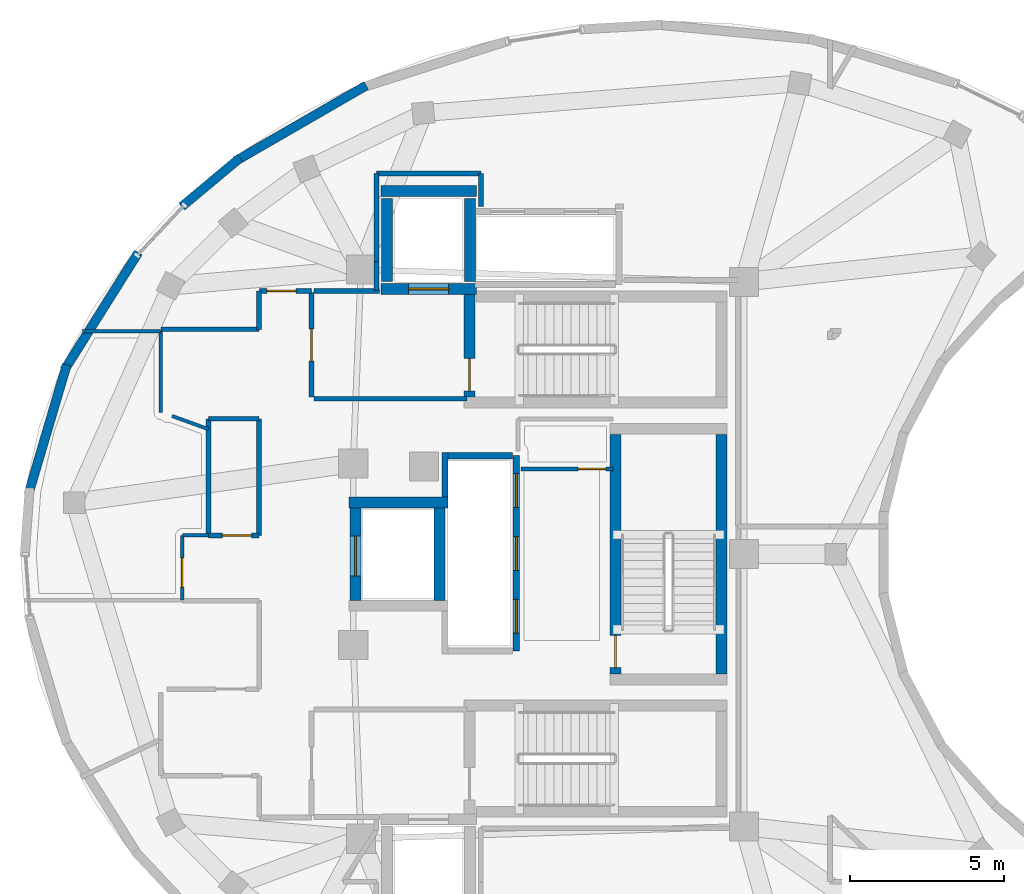
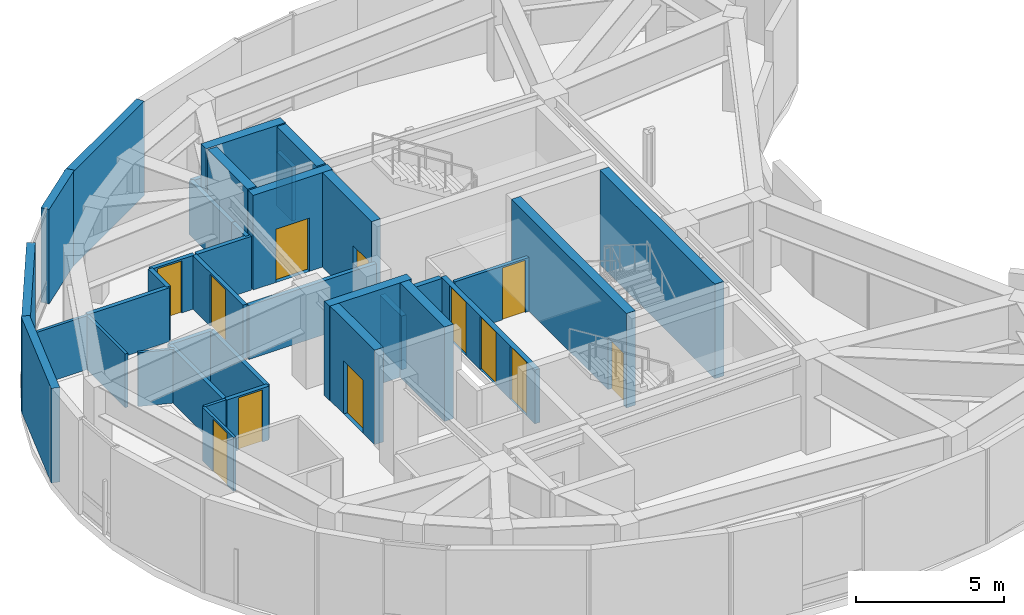
# One storey, part 4 of 6: 37 walls, 12 doors, 12 openings.
"""IFC4 building model written with IfcOpenShell, lengths in metres."""

from ifc_helpers import new_model, si_unit, direction, frame, frame_2d, origin, place, context, subcontext, project, spatial, rectangle, extrude, material, layer, layer_set, type_object, element, fill, save


model = new_model("IFC4")

# Units and contexts
model_context = context("Model", 3, precision=1e-05, world=origin(), true_north=direction((0.0, 1.0)))
body_context = subcontext(model_context, "Body", "Model", "MODEL_VIEW")
ifc_project = project(units=[si_unit("LENGTHUNIT", "METRE"), si_unit("AREAUNIT", "SQUARE_METRE"), si_unit("VOLUMEUNIT", "CUBIC_METRE"), si_unit("PLANEANGLEUNIT", "RADIAN"), si_unit("MASSUNIT", "GRAM", prefix="KILO")], contexts=[model_context])

# Site, building, storey
site_placement = place(None, origin())
site = spatial("IfcSite", under=ifc_project, at=site_placement, CompositionType="ELEMENT")
building_placement = place(site_placement, origin())
building = spatial("IfcBuilding", under=site, at=building_placement, Name="Korentha Bioscience Tower", CompositionType="ELEMENT")
storey_placement = place(building_placement, frame((0.0, 0.0, 327.0)))
storey = spatial("IfcBuildingStorey", under=building, at=storey_placement, Name="L75", CompositionType="ELEMENT", Elevation=327.0)

# Wall, opening, door
ifc_material_1 = material(Name="Fire-Rated Framed Glass", Category="glass")
ifc_layer_1 = layer(ifc_material_1, 0.110107421875, Name="Fire-Rated Framed Glass")
ifc_layer_set_1 = layer_set([ifc_layer_1], Name="Fire-Rated Framed Glass (IW-G110)")
wall_type_1 = type_object("IfcWallType", Name="Demountable Glazed Office Partition 110", PredefinedType="MOVABLE", material=ifc_layer_set_1)
wall_1_placement = place(storey_placement, frame((19.2900390625, 27.60009765625, 0.0), z_axis=(0.0, 0.0, 1.0), x_axis=(0.0, -1.0, 0.0)))
wall_1 = element("IfcWall", 1, at=wall_1_placement, inside=storey, type_object=wall_type_1, Name="L75 Principal Investigator Office 01 Entrance Wall", PredefinedType="MOVABLE", context=body_context, shape_type="SweptSolid", body=[
    extrude(rectangle(XDim=2.09716796875, YDim=0.110107421875, at=frame_2d((1.048583984375, 0.0))), origin(), (0.0, 0.0, 1.0), 2.219970703125),
])
opening_1_placement = place(wall_1_placement, frame((0.72265625, 0.0, 0.0)))
opening_1 = element("IfcOpeningElement", 2, at=opening_1_placement, cuts=wall_1, Name="Opening ID-10R", PredefinedType="OPENING", context=body_context, shape_type="SweptSolid", body=[
    extrude(rectangle(XDim=0.949951171875, YDim=2.14990234375, at=frame_2d((0.47509765625, 1.074951171875))), frame((0.0, 0.06982421875, 0.0), z_axis=(0.0, -1.0, 0.0), x_axis=(1.0, 0.0, 0.0)), (0.0, 0.0, 1.0), 0.139892578125),
])
ifc_material_2 = material(Name="Phenolic Laminate Timber Core", Category="wood")
door_type_1 = type_object("IfcDoorType", Name="Laboratory Single Leaf Door 950x2150 Right", OperationType="SINGLE_SWING_RIGHT", PredefinedType="DOOR", material=ifc_material_2)
door_1_placement = place(opening_1_placement, origin())
door_1 = element("IfcDoor", 3, at=door_1_placement, inside=storey, type_object=door_type_1, Name="L75 Principal Investigator Office 01 Door", OperationType="SINGLE_SWING_RIGHT", OverallHeight=2.14990234375, OverallWidth=0.949951171875, PredefinedType="DOOR", context=body_context, shape_type="SweptSolid", body=[
    extrude(rectangle(XDim=0.949951171875, YDim=2.14990234375, at=frame_2d((0.47509765625, 1.074951171875))), frame((0.0, 0.02490234375, 0.0), z_axis=(0.0, -1.0, 0.0), x_axis=(1.0, 0.0, 0.0)), (0.0, 0.0, 1.0), 0.050048828125),
])
fill(opening_1, door_1)

# Walls
wall_2_placement = place(storey_placement, frame((16.047119140625, 34.248046875, 0.0), z_axis=(0.0, 0.0, 1.0), x_axis=(1.0, 0.0, 0.0)))
element("IfcWall", 4, at=wall_2_placement, inside=storey, type_object=wall_type_1, Name="L75 Interior Partition 013", PredefinedType="MOVABLE", context=body_context, shape_type="SweptSolid", body=[
    extrude(rectangle(XDim=2.54296875, YDim=0.110107421875, at=frame_2d((1.271484375, 0.0))), origin(), (0.0, 0.0, 1.0), 2.219970703125),
])
wall_3_placement = place(storey_placement, frame((18.590087890625, 34.248046875, 0.0), z_axis=(0.0, 0.0, 1.0), x_axis=(0.0, -1.0, 0.0)))
element("IfcWall", 5, at=wall_3_placement, inside=storey, type_object=wall_type_1, Name="L75 Interior Partition 014", PredefinedType="MOVABLE", context=body_context, shape_type="SweptSolid", body=[
    extrude(rectangle(XDim=2.64794921875, YDim=0.110107421875, at=frame_2d((1.323974609375, 0.0))), origin(), (0.0, 0.0, 1.0), 2.219970703125),
])
wall_4_placement = place(storey_placement, frame((18.9609375, 31.489990234375, 0.0), z_axis=(0.0, 0.0, 1.0), x_axis=(0.94035502025, -0.340194702915, 0.0)))
element("IfcWall", 6, at=wall_4_placement, inside=storey, type_object=wall_type_1, Name="L75 Interior Partition 015", PredefinedType="MOVABLE", context=body_context, shape_type="SweptSolid", body=[
    extrude(rectangle(XDim=1.253662109375, YDim=0.110107421875, at=frame_2d((0.626953125, 0.0))), origin(), (0.0, 0.0, 1.0), 2.219970703125),
])
wall_5_placement = place(storey_placement, frame((20.139892578125, 27.610107421875, 0.0), z_axis=(0.0, 0.0, 1.0), x_axis=(-1.0, 0.0, 0.0)))
element("IfcWall", 7, at=wall_5_placement, inside=storey, type_object=wall_type_1, Name="L75 Interior Partition 016", PredefinedType="MOVABLE", context=body_context, shape_type="SweptSolid", body=[
    extrude(rectangle(XDim=0.83984375, YDim=0.110107421875, at=frame_2d((0.419921875, 0.0))), origin(), (0.0, 0.0, 1.0), 2.219970703125),
])

# Wall, opening, door
ifc_material_3 = material(Name="Gypsum-Clad Steel Stud", Category="steel")
ifc_layer_2 = layer(ifc_material_3, 0.159912109375, Name="Gypsum-Clad Steel Stud")
ifc_layer_set_2 = layer_set([ifc_layer_2], Name="Gypsum-Clad Steel Stud (IW-C160)")
wall_type_2 = type_object("IfcWallType", Name="Fire-Rated Corridor Partition Wall 160", PredefinedType="PARTITIONING", material=ifc_layer_set_2)
wall_6_placement = place(storey_placement, frame((23.5, 32.10009765625, 0.0), z_axis=(0.0, 0.0, 1.0), x_axis=(0.0, 1.0, 0.0)))
wall_6 = element("IfcWall", 8, at=wall_6_placement, inside=storey, type_object=wall_type_2, Name="L75 FFLN-CW Rated Enclosure Wall", PredefinedType="PARTITIONING", context=body_context, shape_type="SweptSolid", body=[
    extrude(rectangle(XDim=3.39990234375, YDim=0.159912109375, at=frame_2d((1.699951171875, 0.0))), origin(), (0.0, 0.0, 1.0), 2.219970703125),
])
opening_2_placement = place(wall_6_placement, frame((1.175048828125, 0.0, 0.0)))
opening_2 = element("IfcOpeningElement", 9, at=opening_2_placement, cuts=wall_6, Name="Opening FD-90R", PredefinedType="OPENING", context=body_context, shape_type="SweptSolid", body=[
    extrude(rectangle(XDim=1.050048828125, YDim=2.14990234375, at=frame_2d((0.52490234375, 1.074951171875))), frame((0.0, 0.0947265625, 0.0), z_axis=(0.0, -1.0, 0.0), x_axis=(1.0, 0.0, 0.0)), (0.0, 0.0, 1.0), 0.189697265625),
])
ifc_material_4 = material(Name="Powder-Coated Fire-Rated Steel", Category="steel")
door_type_2 = type_object("IfcDoorType", Name="Stairwell Fire Exit Door 1050x2150 Right", OperationType="SINGLE_SWING_RIGHT", PredefinedType="DOOR", material=ifc_material_4)
door_2_placement = place(opening_2_placement, origin())
door_2 = element("IfcDoor", 10, at=door_2_placement, inside=storey, type_object=door_type_2, Name="L75 North Firefighting Lobby Door", OperationType="SINGLE_SWING_RIGHT", OverallHeight=2.14990234375, OverallWidth=1.050048828125, PredefinedType="DOOR", context=body_context, shape_type="SweptSolid", body=[
    extrude(rectangle(XDim=1.050048828125, YDim=2.14990234375, at=frame_2d((0.52490234375, 1.074951171875))), frame((0.0, 0.02490234375, 0.0), z_axis=(0.0, -1.0, 0.0), x_axis=(1.0, 0.0, 0.0)), (0.0, 0.0, 1.0), 0.050048828125),
])
fill(opening_2, door_2)

# Walls
wall_7_placement = place(storey_placement, frame((23.580078125, 32.050048828125, 0.0), z_axis=(0.0, 0.0, 1.0), x_axis=(1.0, 0.0, 0.0)))
element("IfcWall", 11, at=wall_7_placement, inside=storey, type_object=wall_type_2, Name="L75 Firefighting Lobby Return Wall FFLN-S", PredefinedType="PARTITIONING", context=body_context, shape_type="SweptSolid", body=[
    extrude(rectangle(XDim=4.969970703125, YDim=0.159912109375, at=frame_2d((2.48486328125, 0.0))), origin(), (0.0, 0.0, 1.0), 2.219970703125),
])
wall_8_placement = place(storey_placement, frame((23.580078125, 35.550048828125, 0.0), z_axis=(0.0, 0.0, 1.0), x_axis=(1.0, 0.0, 0.0)))
element("IfcWall", 12, at=wall_8_placement, inside=storey, type_object=wall_type_2, Name="L75 Firefighting Lobby Return Wall FFLN-N", PredefinedType="PARTITIONING", context=body_context, shape_type="SweptSolid", body=[
    extrude(rectangle(XDim=2.119873046875, YDim=0.159912109375, at=frame_2d((1.06005859375, 0.0))), origin(), (0.0, 0.0, 1.0), 2.219970703125),
])

# Wall, opening, door
wall_9_placement = place(storey_placement, frame((21.7900390625, 27.610107421875, 0.0), z_axis=(0.0, 0.0, 1.0), x_axis=(-1.0, 0.0, 0.0)))
wall_9 = element("IfcWall", 13, at=wall_9_placement, inside=storey, type_object=wall_type_2, Name="L75 Reclaimed Bank-2 Telecoms and Data Store Entrance Wall", PredefinedType="PARTITIONING", context=body_context, shape_type="SweptSolid", body=[
    extrude(rectangle(XDim=1.64013671875, YDim=0.159912109375, at=frame_2d((0.820068359375, 0.0))), origin(), (0.0, 0.0, 1.0), 2.219970703125),
])
opening_3_placement = place(wall_9_placement, frame((0.239990234375, 0.0, 0.0)))
opening_3 = element("IfcOpeningElement", 14, at=opening_3_placement, cuts=wall_9, Name="Opening ID-10L", PredefinedType="OPENING", context=body_context, shape_type="SweptSolid", body=[
    extrude(rectangle(XDim=0.949951171875, YDim=2.14990234375, at=frame_2d((0.47509765625, 1.074951171875))), frame((0.0, 0.0947265625, 0.0), z_axis=(0.0, -1.0, 0.0), x_axis=(1.0, 0.0, 0.0)), (0.0, 0.0, 1.0), 0.189697265625),
])
door_type_3 = type_object("IfcDoorType", Name="Laboratory Single Leaf Door 950x2150 Left", OperationType="SINGLE_SWING_LEFT", PredefinedType="DOOR", material=ifc_material_2)
door_3_placement = place(opening_3_placement, origin())
door_3 = element("IfcDoor", 15, at=door_3_placement, inside=storey, type_object=door_type_3, Name="L75 Reclaimed Bank-2 Telecoms and Data Store Door", OperationType="SINGLE_SWING_LEFT", OverallHeight=2.14990234375, OverallWidth=0.949951171875, PredefinedType="DOOR", context=body_context, shape_type="SweptSolid", body=[
    extrude(rectangle(XDim=0.949951171875, YDim=2.14990234375, at=frame_2d((0.47509765625, 1.074951171875))), frame((0.0, 0.02490234375, 0.0), z_axis=(0.0, -1.0, 0.0), x_axis=(1.0, 0.0, 0.0)), (0.0, 0.0, 1.0), 0.050048828125),
])
fill(opening_3, door_3)

wall_10_placement = place(storey_placement, frame((23.489990234375, 35.56005859375, 0.0), z_axis=(0.0, 0.0, 1.0), x_axis=(-1.0, 0.0, 0.0)))
wall_10 = element("IfcWall", 16, at=wall_10_placement, inside=storey, type_object=wall_type_2, Name="L75 Biospecimen Archive Store 04 Entrance Wall", PredefinedType="PARTITIONING", context=body_context, shape_type="SweptSolid", body=[
    extrude(rectangle(XDim=1.68994140625, YDim=0.159912109375, at=frame_2d((0.844970703125, 0.0))), origin(), (0.0, 0.0, 1.0), 2.219970703125),
])
opening_4_placement = place(wall_10_placement, frame((0.5, 0.0, 0.0)))
opening_4 = element("IfcOpeningElement", 17, at=opening_4_placement, cuts=wall_10, Name="Opening ID-10L", PredefinedType="OPENING", context=body_context, shape_type="SweptSolid", body=[
    extrude(rectangle(XDim=0.949951171875, YDim=2.14990234375, at=frame_2d((0.47509765625, 1.074951171875))), frame((0.0, 0.0947265625, 0.0), z_axis=(0.0, -1.0, 0.0), x_axis=(1.0, 0.0, 0.0)), (0.0, 0.0, 1.0), 0.189697265625),
])
door_4_placement = place(opening_4_placement, origin())
door_4 = element("IfcDoor", 18, at=door_4_placement, inside=storey, type_object=door_type_3, Name="L75 Biospecimen Archive Store 04 Door", OperationType="SINGLE_SWING_LEFT", OverallHeight=2.14990234375, OverallWidth=0.949951171875, PredefinedType="DOOR", context=body_context, shape_type="SweptSolid", body=[
    extrude(rectangle(XDim=0.949951171875, YDim=2.14990234375, at=frame_2d((0.47509765625, 1.074951171875))), frame((0.0, 0.02490234375, 0.0), z_axis=(0.0, -1.0, 0.0), x_axis=(1.0, 0.0, 0.0)), (0.0, 0.0, 1.0), 0.050048828125),
])
fill(opening_4, door_4)

# Walls
for number, where, z_axis, x_axis, name in (
    (19, (21.7900390625, 31.39990234375, 0.0), (0.0, 0.0, 1.0), (0.0, -1.0, 0.0), "L75 Interior Partition 010"),
    (20, (20.14990234375, 27.610107421875, 0.0), (0.0, 0.0, 1.0), (0.0, 1.0, 0.0), "L75 Interior Partition 011"),
):
    element("IfcWall", number, at=place(storey_placement, frame(where, z_axis=z_axis, x_axis=x_axis)), inside=storey, type_object=wall_type_2, Name=name, PredefinedType="PARTITIONING", context=body_context, shape_type="SweptSolid", body=[
        extrude(rectangle(XDim=3.789794921875, YDim=0.159912109375, at=frame_2d((1.89501953125, 0.0))), origin(), (0.0, 0.0, 1.0), 2.219970703125),
    ])
wall_11_placement = place(storey_placement, frame((20.14990234375, 31.39990234375, 0.0), z_axis=(0.0, 0.0, 1.0), x_axis=(1.0, 0.0, 0.0)))
element("IfcWall", 21, at=wall_11_placement, inside=storey, type_object=wall_type_2, Name="L75 Interior Partition 012", PredefinedType="PARTITIONING", context=body_context, shape_type="SweptSolid", body=[
    extrude(rectangle(XDim=1.64013671875, YDim=0.159912109375, at=frame_2d((0.820068359375, 0.0))), origin(), (0.0, 0.0, 1.0), 2.219970703125),
])
wall_12_placement = place(storey_placement, frame((29.0, 38.300048828125, 0.0), z_axis=(0.0, 0.0, 1.0), x_axis=(0.0, 1.0, 0.0)))
element("IfcWall", 22, at=wall_12_placement, inside=storey, type_object=wall_type_2, Name="L75 Interior Partition 044", PredefinedType="PARTITIONING", context=body_context, shape_type="SweptSolid", body=[
    extrude(rectangle(XDim=1.075927734375, YDim=0.159912109375, at=frame_2d((0.5380859375, 0.0))), origin(), (0.0, 0.0, 1.0), 2.219970703125),
])
wall_13_placement = place(storey_placement, frame((28.995849609375, 39.3798828125, 0.0), z_axis=(0.0, 0.0, 1.0), x_axis=(-1.0, 0.0, 0.0)))
element("IfcWall", 23, at=wall_13_placement, inside=storey, type_object=wall_type_2, Name="L75 Interior Partition 045", PredefinedType="PARTITIONING", context=body_context, shape_type="SweptSolid", body=[
    extrude(rectangle(XDim=3.391845703125, YDim=0.159912109375, at=frame_2d((1.69580078125, 0.0))), origin(), (0.0, 0.0, 1.0), 2.219970703125),
])
wall_14_placement = place(storey_placement, frame((25.60009765625, 39.3759765625, 0.0), z_axis=(0.0, 0.0, 1.0), x_axis=(0.0, -1.0, 0.0)))
element("IfcWall", 24, at=wall_14_placement, inside=storey, type_object=wall_type_2, Name="L75 Interior Partition 046", PredefinedType="PARTITIONING", context=body_context, shape_type="SweptSolid", body=[
    extrude(rectangle(XDim=2.8603515625, YDim=0.159912109375, at=frame_2d((1.43017578125, 0.0))), origin(), (0.0, 0.0, 1.0), 2.219970703125),
])
wall_15_placement = place(storey_placement, frame((25.60009765625, 36.507568359375, 0.0), z_axis=(0.0, 0.0, 1.0), x_axis=(0.0, -1.0, 0.0)))
element("IfcWall", 25, at=wall_15_placement, inside=storey, type_object=wall_type_2, Name="L75 Interior Partition 047", PredefinedType="PARTITIONING", context=body_context, shape_type="SweptSolid", body=[
    extrude(rectangle(XDim=0.943359375, YDim=0.159912109375, at=frame_2d((0.4716796875, 0.0))), origin(), (0.0, 0.0, 1.0), 2.219970703125),
])
wall_16_placement = place(storey_placement, frame((21.7900390625, 35.550048828125, 0.0), z_axis=(0.0, 0.0, 1.0), x_axis=(0.0, -1.0, 0.0)))
element("IfcWall", 26, at=wall_16_placement, inside=storey, type_object=wall_type_2, Name="L75 Interior Partition 048", PredefinedType="PARTITIONING", context=body_context, shape_type="SweptSolid", body=[
    extrude(rectangle(XDim=1.239990234375, YDim=0.159912109375, at=frame_2d((0.6201171875, 0.0))), origin(), (0.0, 0.0, 1.0), 2.219970703125),
])
wall_17_placement = place(storey_placement, frame((21.7900390625, 34.31005859375, 0.0), z_axis=(0.0, 0.0, 1.0), x_axis=(-1.0, 0.0, 0.0)))
element("IfcWall", 27, at=wall_17_placement, inside=storey, type_object=wall_type_2, Name="L75 Interior Partition 049", PredefinedType="PARTITIONING", context=body_context, shape_type="SweptSolid", body=[
    extrude(rectangle(XDim=3.18994140625, YDim=0.159912109375, at=frame_2d((1.594970703125, 0.0))), origin(), (0.0, 0.0, 1.0), 2.219970703125),
])
ifc_material_5 = material(Name="Honed Limestone Precast Concrete C40", Category="masonry")
ifc_layer_3 = layer(ifc_material_5, 0.300048828125, Name="Honed Limestone Precast Concrete C40")
ifc_layer_set_3 = layer_set([ifc_layer_3], Name="Honed Limestone Precast Concrete C40 (EW-ST300)")
wall_type_3 = type_object("IfcWallType", Name="Honed Limestone Cavity Spandrel Wall 300", PredefinedType="STANDARD", material=ifc_layer_set_3)
wall_18_placement = place(storey_placement, frame((25.2734375, 42.234375, 0.0), z_axis=(0.0, 0.0, 1.0), x_axis=(-0.865775178968, -0.500433151863, 0.0)))
element("IfcWall", 28, at=wall_18_placement, inside=storey, type_object=wall_type_3, Name="L75 Limestone Perimeter Closure Wall 10", PredefinedType="STANDARD", context=body_context, shape_type="SweptSolid", body=[
    extrude(rectangle(XDim=4.915771484375, YDim=0.300048828125, at=frame_2d((2.4580078125, 0.0))), origin(), (0.0, 0.0, 1.0), 3.89990234375),
])
wall_19_placement = place(storey_placement, frame((21.168212890625, 39.87939453125, 0.0), z_axis=(0.0, 0.0, 1.0), x_axis=(-0.767450316268, -0.641108424574, 0.0)))
element("IfcWall", 29, at=wall_19_placement, inside=storey, type_object=wall_type_3, Name="L75 Limestone Perimeter Closure Wall 12", PredefinedType="STANDARD", context=body_context, shape_type="SweptSolid", body=[
    extrude(rectangle(XDim=2.467529296875, YDim=0.300048828125, at=frame_2d((1.23388671875, 0.0))), origin(), (0.0, 0.0, 1.0), 3.89990234375),
])
wall_20_placement = place(storey_placement, frame((17.86279296875, 36.80419921875, 0.0), z_axis=(0.0, 0.0, 1.0), x_axis=(-0.532667112983, -0.846324847057, 0.0)))
element("IfcWall", 30, at=wall_20_placement, inside=storey, type_object=wall_type_3, Name="L75 Limestone Perimeter Closure Wall 14", PredefinedType="STANDARD", context=body_context, shape_type="SweptSolid", body=[
    extrude(rectangle(XDim=4.519287109375, YDim=0.300048828125, at=frame_2d((2.259765625, 0.0))), origin(), (0.0, 0.0, 1.0), 3.89990234375),
])
wall_21_placement = place(storey_placement, frame((15.53662109375, 33.158935546875, 0.0), z_axis=(0.0, 0.0, 1.0), x_axis=(-0.28362844186, -0.958934255811, 0.0)))
element("IfcWall", 31, at=wall_21_placement, inside=storey, type_object=wall_type_3, Name="L75 Limestone Perimeter Closure Wall 16", PredefinedType="STANDARD", context=body_context, shape_type="SweptSolid", body=[
    extrude(rectangle(XDim=4.37451171875, YDim=0.300048828125, at=frame_2d((2.187255859375, 0.0))), origin(), (0.0, 0.0, 1.0), 3.89990234375),
])
ifc_material_6 = material(Name="Autoclaved Aerated Concrete Block C25", Category="concrete")
ifc_layer_4 = layer(ifc_material_6, 0.199951171875, Name="Autoclaved Aerated Concrete Block C25")
ifc_layer_set_4 = layer_set([ifc_layer_4], Name="Autoclaved Aerated Concrete Block C25 (IW-S200)")
wall_type_4 = type_object("IfcWallType", Name="Lift and Riser Shaft Enclosure Wall 200", PredefinedType="PARTITIONING", material=ifc_layer_set_4)
wall_22_placement = place(storey_placement, frame((27.830078125, 28.85888671875, 0.0), z_axis=(0.0, 0.0, 1.0), x_axis=(0.0, 1.0, 0.0)))
element("IfcWall", 32, at=wall_22_placement, inside=storey, type_object=wall_type_4, Name="L75 Lift Bank HIGH Shaft Wall -XN", PredefinedType="PARTITIONING", context=body_context, shape_type="SweptSolid", body=[
    extrude(rectangle(XDim=1.441162109375, YDim=0.199951171875, at=frame_2d((0.720703125, 0.0))), origin(), (0.0, 0.0, 1.0), 2.219970703125),
])

# Wall, openings, doors
wall_23_placement = place(storey_placement, frame((30.14990234375, 23.85009765625, 0.0), z_axis=(0.0, 0.0, 1.0), x_axis=(0.0, 1.0, 0.0)))
wall_23 = element("IfcWall", 33, at=wall_23_placement, inside=storey, type_object=wall_type_4, Name="L75 Lift Bank HIGH Shaft Wall +X", PredefinedType="PARTITIONING", context=body_context, shape_type="SweptSolid", body=[
    extrude(rectangle(XDim=6.349853515625, YDim=0.199951171875, at=frame_2d((3.1748046875, 0.0))), origin(), (0.0, 0.0, 1.0), 2.219970703125),
])
opening_5_placement = place(wall_23_placement, frame((0.580078125, 0.0, 0.0)))
opening_5 = element("IfcOpeningElement", 34, at=opening_5_placement, cuts=wall_23, Name="Opening LD-11", PredefinedType="OPENING", context=body_context, shape_type="SweptSolid", body=[
    extrude(rectangle(XDim=1.10009765625, YDim=2.199951171875, at=frame_2d((0.550048828125, 1.10009765625))), frame((0.0, 0.11474609375, 0.0), z_axis=(0.0, -1.0, 0.0), x_axis=(1.0, 0.0, 0.0)), (0.0, 0.0, 1.0), 0.229736328125),
])
opening_6_placement = place(wall_23_placement, frame((2.6201171875, 0.0, 0.0)))
opening_6 = element("IfcOpeningElement", 35, at=opening_6_placement, cuts=wall_23, Name="Opening LD-11", PredefinedType="OPENING", context=body_context, shape_type="SweptSolid", body=[
    extrude(rectangle(XDim=1.10009765625, YDim=2.199951171875, at=frame_2d((0.550048828125, 1.10009765625))), frame((0.0, 0.11474609375, 0.0), z_axis=(0.0, -1.0, 0.0), x_axis=(1.0, 0.0, 0.0)), (0.0, 0.0, 1.0), 0.229736328125),
])
opening_7_placement = place(wall_23_placement, frame((4.669921875, 0.0, 0.0)))
opening_7 = element("IfcOpeningElement", 36, at=opening_7_placement, cuts=wall_23, Name="Opening LD-11", PredefinedType="OPENING", context=body_context, shape_type="SweptSolid", body=[
    extrude(rectangle(XDim=1.10009765625, YDim=2.199951171875, at=frame_2d((0.550048828125, 1.10009765625))), frame((0.0, 0.11474609375, 0.0), z_axis=(0.0, -1.0, 0.0), x_axis=(1.0, 0.0, 0.0)), (0.0, 0.0, 1.0), 0.229736328125),
])
ifc_material_7 = material(Name="Brushed Stainless Steel 304", Category="steel")
door_type_4 = type_object("IfcDoorType", Name="Passenger Lift Sliding Landing Door 1100x2200", OperationType="DOUBLE_DOOR_SLIDING", PredefinedType="DOOR", material=ifc_material_7)
door_5_placement = place(opening_5_placement, origin())
door_5 = element("IfcDoor", 37, at=door_5_placement, inside=storey, type_object=door_type_4, Name="L75 PL-H1 Sliding Lift Landing Door", OperationType="DOUBLE_DOOR_SLIDING", OverallHeight=2.199951171875, OverallWidth=1.10009765625, PredefinedType="DOOR", context=body_context, shape_type="SweptSolid", body=[
    extrude(rectangle(XDim=1.10009765625, YDim=2.199951171875, at=frame_2d((0.550048828125, 1.10009765625))), frame((0.0, 0.02490234375, 0.0), z_axis=(0.0, -1.0, 0.0), x_axis=(1.0, 0.0, 0.0)), (0.0, 0.0, 1.0), 0.050048828125),
])
fill(opening_5, door_5)
door_6_placement = place(opening_6_placement, origin())
door_6 = element("IfcDoor", 38, at=door_6_placement, inside=storey, type_object=door_type_4, Name="L75 PL-H2 Sliding Lift Landing Door", OperationType="DOUBLE_DOOR_SLIDING", OverallHeight=2.199951171875, OverallWidth=1.10009765625, PredefinedType="DOOR", context=body_context, shape_type="SweptSolid", body=[
    extrude(rectangle(XDim=1.10009765625, YDim=2.199951171875, at=frame_2d((0.550048828125, 1.10009765625))), frame((0.0, 0.02490234375, 0.0), z_axis=(0.0, -1.0, 0.0), x_axis=(1.0, 0.0, 0.0)), (0.0, 0.0, 1.0), 0.050048828125),
])
fill(opening_6, door_6)
door_7_placement = place(opening_7_placement, origin())
door_7 = element("IfcDoor", 39, at=door_7_placement, inside=storey, type_object=door_type_4, Name="L75 PL-H3 Sliding Lift Landing Door", OperationType="DOUBLE_DOOR_SLIDING", OverallHeight=2.199951171875, OverallWidth=1.10009765625, PredefinedType="DOOR", context=body_context, shape_type="SweptSolid", body=[
    extrude(rectangle(XDim=1.10009765625, YDim=2.199951171875, at=frame_2d((0.550048828125, 1.10009765625))), frame((0.0, 0.02490234375, 0.0), z_axis=(0.0, -1.0, 0.0), x_axis=(1.0, 0.0, 0.0)), (0.0, 0.0, 1.0), 0.050048828125),
])
fill(opening_7, door_7)

# Wall
wall_24_placement = place(storey_placement, frame((27.93408203125, 30.199951171875, 0.0), z_axis=(0.0, 0.0, 1.0), x_axis=(1.0, 0.0, 0.0)))
element("IfcWall", 40, at=wall_24_placement, inside=storey, type_object=wall_type_4, Name="L75 Lift Bank HIGH Shaft Wall +Y", PredefinedType="PARTITIONING", context=body_context, shape_type="SweptSolid", body=[
    extrude(rectangle(XDim=2.095947265625, YDim=0.199951171875, at=frame_2d((1.0478515625, 0.0))), origin(), (0.0, 0.0, 1.0), 2.219970703125),
])

# Wall, opening, door
ifc_material_8 = material(Name="Concrete C50", Category="concrete")
ifc_layer_5 = layer(ifc_material_8, 0.35009765625, Name="Concrete C50")
ifc_layer_set_5 = layer_set([ifc_layer_5], Name="Concrete C50 (CW-C50)")
wall_type_5 = type_object("IfcWallType", Name="Upper Core Shear Wall 350", PredefinedType="SHEAR", material=ifc_layer_set_5)
wall_25_placement = place(storey_placement, frame((28.625, 32.110107421875, 0.0), z_axis=(0.0, 0.0, 1.0), x_axis=(0.0, 1.0, 0.0)))
wall_25 = element("IfcWall", 41, at=wall_25_placement, inside=storey, type_object=wall_type_5, Name="L75 Core Shear Wall ST1-W", PredefinedType="SHEAR", context=body_context, shape_type="SweptSolid", body=[
    extrude(rectangle(XDim=3.3330078125, YDim=0.35009765625, at=frame_2d((1.66650390625, 0.0))), origin(), (0.0, 0.0, 1.0), 3.89990234375),
])
opening_8_placement = place(wall_25_placement, frame((0.199951171875, 0.0, 0.0)))
opening_8 = element("IfcOpeningElement", 42, at=opening_8_placement, cuts=wall_25, Name="Opening FD-90R", PredefinedType="OPENING", context=body_context, shape_type="SweptSolid", body=[
    extrude(rectangle(XDim=1.050048828125, YDim=2.14990234375, at=frame_2d((0.52490234375, 1.074951171875))), frame((0.0, 0.18994140625, 0.0), z_axis=(0.0, -1.0, 0.0), x_axis=(1.0, 0.0, 0.0)), (0.0, 0.0, 1.0), 0.3798828125),
])
door_8_placement = place(opening_8_placement, origin())
door_8 = element("IfcDoor", 43, at=door_8_placement, inside=storey, type_object=door_type_2, Name="L75 ST-1 Fire Exit Stair Door", OperationType="SINGLE_SWING_RIGHT", OverallHeight=2.14990234375, OverallWidth=1.050048828125, PredefinedType="DOOR", context=body_context, shape_type="SweptSolid", body=[
    extrude(rectangle(XDim=1.050048828125, YDim=2.14990234375, at=frame_2d((0.52490234375, 1.074951171875))), frame((0.0, 0.02490234375, 0.0), z_axis=(0.0, -1.0, 0.0), x_axis=(1.0, 0.0, 0.0)), (0.0, 0.0, 1.0), 0.050048828125),
])
fill(opening_8, door_8)

# Wall
wall_26_placement = place(storey_placement, frame((36.824951171875, 23.110107421875, 0.0), z_axis=(0.0, 0.0, 1.0), x_axis=(0.0, 1.0, 0.0)))
element("IfcWall", 44, at=wall_26_placement, inside=storey, type_object=wall_type_5, Name="L75 Core Shear Wall ST3-E", PredefinedType="SHEAR", context=body_context, shape_type="SweptSolid", body=[
    extrude(rectangle(XDim=7.77978515625, YDim=0.35009765625, at=frame_2d((3.889892578125, 0.0))), origin(), (0.0, 0.0, 1.0), 3.89990234375),
])

# Wall, opening, door
wall_27_placement = place(storey_placement, frame((33.375, 23.110107421875, 0.0), z_axis=(0.0, 0.0, 1.0), x_axis=(0.0, 1.0, 0.0)))
wall_27 = element("IfcWall", 45, at=wall_27_placement, inside=storey, type_object=wall_type_5, Name="L75 Core Shear Wall ST3-W", PredefinedType="SHEAR", context=body_context, shape_type="SweptSolid", body=[
    extrude(rectangle(XDim=7.77978515625, YDim=0.35009765625, at=frame_2d((3.889892578125, 0.0))), origin(), (0.0, 0.0, 1.0), 3.89990234375),
])
opening_9_placement = place(wall_27_placement, frame((0.199951171875, 0.0, 0.0)))
opening_9 = element("IfcOpeningElement", 46, at=opening_9_placement, cuts=wall_27, Name="Opening FD-90R", PredefinedType="OPENING", context=body_context, shape_type="SweptSolid", body=[
    extrude(rectangle(XDim=1.050048828125, YDim=2.14990234375, at=frame_2d((0.52490234375, 1.074951171875))), frame((0.0, 0.18994140625, 0.0), z_axis=(0.0, -1.0, 0.0), x_axis=(1.0, 0.0, 0.0)), (0.0, 0.0, 1.0), 0.3798828125),
])
door_9_placement = place(opening_9_placement, origin())
door_9 = element("IfcDoor", 47, at=door_9_placement, inside=storey, type_object=door_type_2, Name="L75 ST-3 Fire Exit Stair Door", OperationType="SINGLE_SWING_RIGHT", OverallHeight=2.14990234375, OverallWidth=1.050048828125, PredefinedType="DOOR", context=body_context, shape_type="SweptSolid", body=[
    extrude(rectangle(XDim=1.050048828125, YDim=2.14990234375, at=frame_2d((0.52490234375, 1.074951171875))), frame((0.0, 0.02490234375, 0.0), z_axis=(0.0, -1.0, 0.0), x_axis=(1.0, 0.0, 0.0)), (0.0, 0.0, 1.0), 0.050048828125),
])
fill(opening_9, door_9)

# Wall
wall_28_placement = place(storey_placement, frame((25.75, 38.800048828125, 0.0), z_axis=(0.0, 0.0, 1.0), x_axis=(1.0, 0.0, 0.0)))
element("IfcWall", 48, at=wall_28_placement, inside=storey, type_object=wall_type_5, Name="L75 Core Shear Wall FFL2-N", PredefinedType="SHEAR", context=body_context, shape_type="SweptSolid", body=[
    extrude(rectangle(XDim=3.10009765625, YDim=0.35009765625, at=frame_2d((1.550048828125, 0.0))), origin(), (0.0, 0.0, 1.0), 3.89990234375),
])

# Wall, opening, door
wall_29_placement = place(storey_placement, frame((25.75, 35.6201171875, 0.0), z_axis=(0.0, 0.0, 1.0), x_axis=(1.0, 0.0, 0.0)))
wall_29 = element("IfcWall", 49, at=wall_29_placement, inside=storey, type_object=wall_type_5, Name="L75 Core Shear Wall FFL2-S", PredefinedType="SHEAR", context=body_context, shape_type="SweptSolid", body=[
    extrude(rectangle(XDim=3.10009765625, YDim=0.35009765625, at=frame_2d((1.550048828125, 0.0))), origin(), (0.0, 0.0, 1.0), 3.89990234375),
])
opening_10_placement = place(wall_29_placement, frame((0.89990234375, 0.0, 0.0)))
opening_10 = element("IfcOpeningElement", 50, at=opening_10_placement, cuts=wall_29, Name="Opening LD-13", PredefinedType="OPENING", context=body_context, shape_type="SweptSolid", body=[
    extrude(rectangle(XDim=1.300048828125, YDim=2.199951171875, at=frame_2d((0.64990234375, 1.10009765625))), frame((0.0, 0.18994140625, 0.0), z_axis=(0.0, -1.0, 0.0), x_axis=(1.0, 0.0, 0.0)), (0.0, 0.0, 1.0), 0.3798828125),
])
ifc_material_9 = material(Name="Brushed Stainless Steel 316", Category="steel")
door_type_5 = type_object("IfcDoorType", Name="Service & Firefighting Lift Landing Door 1300x2300", OperationType="DOUBLE_DOOR_SLIDING", PredefinedType="DOOR", material=ifc_material_9)
door_10_placement = place(opening_10_placement, origin())
door_10 = element("IfcDoor", 51, at=door_10_placement, inside=storey, type_object=door_type_5, Name="L75 FFL-2 Sliding Lift Landing Door", OperationType="DOUBLE_DOOR_SLIDING", OverallHeight=2.199951171875, OverallWidth=1.300048828125, PredefinedType="DOOR", context=body_context, shape_type="SweptSolid", body=[
    extrude(rectangle(XDim=1.300048828125, YDim=2.199951171875, at=frame_2d((0.64990234375, 1.10009765625))), frame((0.0, 0.02490234375, 0.0), z_axis=(0.0, -1.0, 0.0), x_axis=(1.0, 0.0, 0.0)), (0.0, 0.0, 1.0), 0.050048828125),
])
fill(opening_10, door_10)

# Walls
for number, where, z_axis, x_axis, name in (
    (52, (25.949951171875, 35.860107421875, 0.0), (0.0, 0.0, 1.0), (0.0, 1.0, 0.0), "L75 Core Shear Wall FFL2-W"),
    (53, (28.64990234375, 35.860107421875, 0.0), (0.0, 0.0, 1.0), (0.0, 1.0, 0.0), "L75 Core Shear Wall FFL2-E"),
):
    element("IfcWall", number, at=place(storey_placement, frame(where, z_axis=z_axis, x_axis=x_axis)), inside=storey, type_object=wall_type_5, Name=name, PredefinedType="SHEAR", context=body_context, shape_type="SweptSolid", body=[
        extrude(rectangle(XDim=2.699951171875, YDim=0.35009765625, at=frame_2d((1.35009765625, 0.0))), origin(), (0.0, 0.0, 1.0), 3.89990234375),
    ])
wall_30_placement = place(storey_placement, frame((24.719970703125, 28.679931640625, 0.0), z_axis=(0.0, 0.0, 1.0), x_axis=(1.0, 0.0, 0.0)))
element("IfcWall", 54, at=wall_30_placement, inside=storey, type_object=wall_type_5, Name="L75 Core Shear Wall SVL1-N", PredefinedType="SHEAR", context=body_context, shape_type="SweptSolid", body=[
    extrude(rectangle(XDim=3.2099609375, YDim=0.35009765625, at=frame_2d((1.60498046875, 0.0))), origin(), (0.0, 0.0, 1.0), 3.89990234375),
])

# Wall, opening, door
wall_31_placement = place(storey_placement, frame((24.919921875, 25.4970703125, 0.0), z_axis=(0.0, 0.0, 1.0), x_axis=(0.0, 1.0, 0.0)))
wall_31 = element("IfcWall", 55, at=wall_31_placement, inside=storey, type_object=wall_type_5, Name="L75 Core Shear Wall SVL1-W", PredefinedType="SHEAR", context=body_context, shape_type="SweptSolid", body=[
    extrude(rectangle(XDim=3.005859375, YDim=0.35009765625, at=frame_2d((1.5029296875, 0.0))), origin(), (0.0, 0.0, 1.0), 3.89990234375),
])
opening_11_placement = place(wall_31_placement, frame((0.7900390625, 0.0, 0.0)))
opening_11 = element("IfcOpeningElement", 56, at=opening_11_placement, cuts=wall_31, Name="Opening LD-13", PredefinedType="OPENING", context=body_context, shape_type="SweptSolid", body=[
    extrude(rectangle(XDim=1.300048828125, YDim=2.199951171875, at=frame_2d((0.64990234375, 1.10009765625))), frame((0.0, 0.18994140625, 0.0), z_axis=(0.0, -1.0, 0.0), x_axis=(1.0, 0.0, 0.0)), (0.0, 0.0, 1.0), 0.3798828125),
])
door_11_placement = place(opening_11_placement, origin())
door_11 = element("IfcDoor", 57, at=door_11_placement, inside=storey, type_object=door_type_5, Name="L75 SVL-1 Sliding Lift Landing Door", OperationType="DOUBLE_DOOR_SLIDING", OverallHeight=2.199951171875, OverallWidth=1.300048828125, PredefinedType="DOOR", context=body_context, shape_type="SweptSolid", body=[
    extrude(rectangle(XDim=1.300048828125, YDim=2.199951171875, at=frame_2d((0.64990234375, 1.10009765625))), frame((0.0, 0.02490234375, 0.0), z_axis=(0.0, -1.0, 0.0), x_axis=(1.0, 0.0, 0.0)), (0.0, 0.0, 1.0), 0.050048828125),
])
fill(opening_11, door_11)

# Wall
wall_32_placement = place(storey_placement, frame((27.64990234375, 25.4970703125, 0.0), z_axis=(0.0, 0.0, 1.0), x_axis=(0.0, 1.0, 0.0)))
element("IfcWall", 58, at=wall_32_placement, inside=storey, type_object=wall_type_5, Name="L75 Core Shear Wall SVL1-E", PredefinedType="SHEAR", context=body_context, shape_type="SweptSolid", body=[
    extrude(rectangle(XDim=3.005859375, YDim=0.35009765625, at=frame_2d((1.5029296875, 0.0))), origin(), (0.0, 0.0, 1.0), 3.89990234375),
])

# Wall, opening, door
ifc_material_10 = material(Name="Cement-Board Steel Stud", Category="steel")
ifc_layer_6 = layer(ifc_material_10, 0.1298828125, Name="Cement-Board Steel Stud")
ifc_layer_set_6 = layer_set([ifc_layer_6], Name="Cement-Board Steel Stud (IW-W130)")
wall_type_6 = type_object("IfcWallType", Name="Wet-Area Moisture-Resistant Partition 130", PredefinedType="PARTITIONING", material=ifc_layer_set_6)
wall_33_placement = place(storey_placement, frame((33.300048828125, 29.77001953125, 0.0), z_axis=(0.0, 0.0, 1.0), x_axis=(-1.0, 0.0, 0.0)))
wall_33 = element("IfcWall", 59, at=wall_33_placement, inside=storey, type_object=wall_type_6, Name="L75 Accessible Staff WC Entrance Wall", PredefinedType="PARTITIONING", context=body_context, shape_type="SweptSolid", body=[
    extrude(rectangle(XDim=2.989990234375, YDim=0.1298828125, at=frame_2d((1.4951171875, 0.0))), origin(), (0.0, 0.0, 1.0), 2.219970703125),
])
opening_12_placement = place(wall_33_placement, frame((0.239990234375, 0.0, 0.0)))
opening_12 = element("IfcOpeningElement", 60, at=opening_12_placement, cuts=wall_33, Name="Opening ID-09R", PredefinedType="OPENING", context=body_context, shape_type="SweptSolid", body=[
    extrude(rectangle(XDim=0.89990234375, YDim=2.14990234375, at=frame_2d((0.449951171875, 1.074951171875))), frame((0.0, 0.079833984375, 0.0), z_axis=(0.0, -1.0, 0.0), x_axis=(1.0, 0.0, 0.0)), (0.0, 0.0, 1.0), 0.15966796875),
])
ifc_material_11 = material(Name="Moisture-Resistant HPL Leaf", Category="wood")
door_type_6 = type_object("IfcDoorType", Name="Restroom & Accessible WC Door 900x2150 Right", OperationType="SINGLE_SWING_RIGHT", PredefinedType="DOOR", material=ifc_material_11)
door_12_placement = place(opening_12_placement, origin())
door_12 = element("IfcDoor", 61, at=door_12_placement, inside=storey, type_object=door_type_6, Name="L75 Accessible Staff WC Door", OperationType="SINGLE_SWING_RIGHT", OverallHeight=2.14990234375, OverallWidth=0.89990234375, PredefinedType="DOOR", context=body_context, shape_type="SweptSolid", body=[
    extrude(rectangle(XDim=0.89990234375, YDim=2.14990234375, at=frame_2d((0.449951171875, 1.074951171875))), frame((0.0, 0.02490234375, 0.0), z_axis=(0.0, -1.0, 0.0), x_axis=(1.0, 0.0, 0.0)), (0.0, 0.0, 1.0), 0.050048828125),
])
fill(opening_12, door_12)

save(model, "model.ifc")
